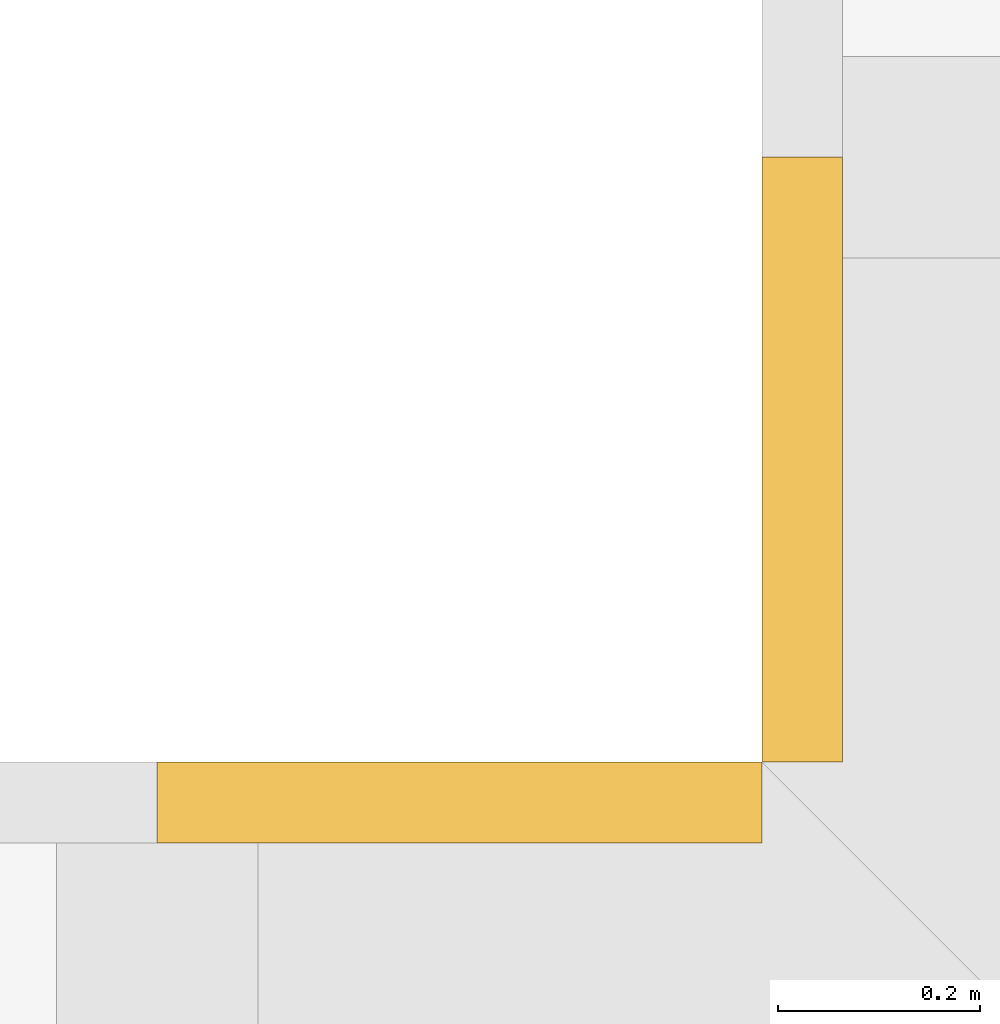
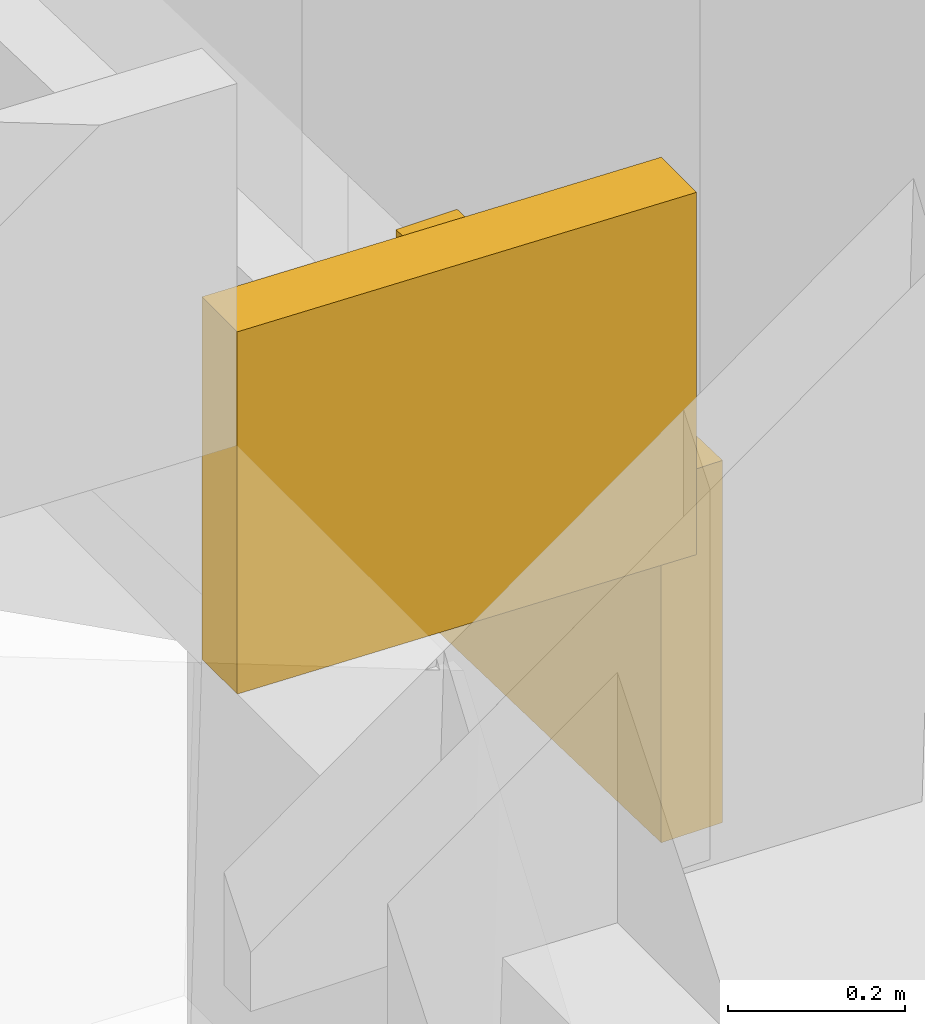
# One storey, part 28 of 29: 2 coverings.
"""IFC4 building model written with IfcOpenShell, lengths in metres."""

import ifcopenshell
import ifcopenshell.guid

model = None  # the IFC model being written
_history = None  # IfcOwnerHistory: only IFC2X3 demands one
_inside = {}  # id of a spatial element -> (the spatial element, [elements in it])
_under = {}  # id of a project, library or spatial element -> (it, [spatial elements below it])
_declared = {}  # id of a project -> (the project, [libraries it declares])
_typed = {}  # id of a type object -> (the type object, [elements of that type])
_made_of = {}  # id of a material, layer set ... -> (it, [elements and type objects made of it])


def new_model(schema):
    """Start an empty IFC model of exactly this schema.

    Asked for "IFC4X3", IfcOpenShell would pick the latest addendum, in which some entities
    have other attributes; the version numbers below select the first issue.
    IFC2X3 requires an IfcOwnerHistory on every rooted entity: one is made here for all.
    """
    global model, _history
    if schema == "IFC4X3":
        model = ifcopenshell.file(schema_version=(4, 3, 0, 0))
    else:
        model = ifcopenshell.file(schema=schema)
    _inside.clear()
    _under.clear()
    _declared.clear()
    _typed.clear()
    _made_of.clear()
    _history = None
    if model.schema == "IFC2X3":
        org = make("IfcOrganization", Name="unknown")
        user = make(
            "IfcPersonAndOrganization",
            ThePerson=make("IfcPerson", FamilyName="unknown"),
            TheOrganization=org,
        )
        app = make(
            "IfcApplication",
            ApplicationDeveloper=org,
            Version="unknown",
            ApplicationFullName="unknown",
            ApplicationIdentifier="unknown",
        )
        _history = make(
            "IfcOwnerHistory",
            OwningUser=user,
            OwningApplication=app,
            ChangeAction="ADDED",
            CreationDate=0,
        )
    return model


def make(cls, **values):
    """One entity of the class cls with the attributes given. An attribute that is None is left unset."""
    return model.create_entity(
        cls, **{name: value for name, value in values.items() if value is not None}
    )


def rooted(cls, **values):
    """An entity with a GlobalId (a new one), such as an element, a storey or a relation."""
    return make(cls, GlobalId=ifcopenshell.guid.new(), OwnerHistory=_history, **values)


def si_unit(unit_type, name, prefix=None):
    """IfcSIUnit, for example si_unit("LENGTHUNIT", "METRE", prefix="MILLI")."""
    return make("IfcSIUnit", UnitType=unit_type, Prefix=prefix, Name=name)


def assignment(units):
    """IfcUnitAssignment: the units of a project."""
    return None if units is None else make("IfcUnitAssignment", Units=units)


def point(xyz):
    """IfcCartesianPoint."""
    return None if xyz is None else make("IfcCartesianPoint", Coordinates=xyz)


def direction(xyz):
    """IfcDirection."""
    return None if xyz is None else make("IfcDirection", DirectionRatios=xyz)


def frame(location, z_axis=None, x_axis=None):
    """IfcAxis2Placement3D, a coordinate frame: its origin and axes. An axis left out is left unset."""
    return make(
        "IfcAxis2Placement3D",
        Location=point(location),
        Axis=direction(z_axis),
        RefDirection=direction(x_axis),
    )


def origin():
    """The frame at (0, 0, 0) with its axes left unset."""
    return frame((0.0, 0.0, 0.0))


def place(relative_to, where):
    """IfcLocalPlacement: puts the frame where relative to a parent placement (None: the world)."""
    return make(
        "IfcLocalPlacement", PlacementRelTo=relative_to, RelativePlacement=where
    )


def context(
    kind, dimensions, precision=None, world=None, true_north=None, identifier=None
):
    """IfcGeometricRepresentationContext, for example the 3D "Model" context."""
    return make(
        "IfcGeometricRepresentationContext",
        ContextIdentifier=identifier,
        ContextType=kind,
        CoordinateSpaceDimension=dimensions,
        Precision=precision,
        WorldCoordinateSystem=world,
        TrueNorth=true_north,
    )


def subcontext(parent, identifier, kind, view, scale=None):
    """IfcGeometricRepresentationSubContext, for example "Body" below "Model"."""
    return make(
        "IfcGeometricRepresentationSubContext",
        ContextIdentifier=identifier,
        ContextType=kind,
        ParentContext=parent,
        TargetScale=scale,
        TargetView=view,
    )


def project(units=None, contexts=None):
    """IfcProject with its units and contexts."""
    return rooted(
        "IfcProject",
        Name="project",
        RepresentationContexts=contexts,
        UnitsInContext=assignment(units),
    )


def spatial(cls, under=None, at=None, **own):
    """A site, building, storey or space (cls), placed at a placement, below another one or the project."""
    s = rooted(cls, ObjectPlacement=at, **own)
    if under is not None:
        _under.setdefault(under.id(), (under, []))[1].append(s)
    return s


def polyline(points):
    """IfcPolyline through the points."""
    return make("IfcPolyline", Points=[point(p) for p in points])


def outline(outer, holes=None, kind="AREA"):
    """IfcArbitraryClosedProfileDef: a profile drawn as a closed curve; with holes, ...WithVoids."""
    if holes is None:
        return make("IfcArbitraryClosedProfileDef", ProfileType=kind, OuterCurve=outer)
    return make(
        "IfcArbitraryProfileDefWithVoids",
        ProfileType=kind,
        OuterCurve=outer,
        InnerCurves=holes,
    )


def extrude(swept, where, along, depth):
    """IfcExtrudedAreaSolid: the profile swept, set in the frame where, extruded along a direction by depth."""
    return make(
        "IfcExtrudedAreaSolid",
        SweptArea=swept,
        Position=where,
        ExtrudedDirection=direction(along),
        Depth=depth,
    )


def shape(context_of_items, identifier, shape_type, items):
    """IfcShapeRepresentation: the items that make up one representation, for example the "Body"."""
    return make(
        "IfcShapeRepresentation",
        ContextOfItems=context_of_items,
        RepresentationIdentifier=identifier,
        RepresentationType=shape_type,
        Items=items,
    )


def material(Name=None, Category=None):
    """IfcMaterial."""
    return make("IfcMaterial", Name=Name, Category=Category)


def layer(
    of_material, thickness, ventilated=None, Name=None, Category=None, Priority=None
):
    """IfcMaterialLayer: one layer of a wall or slab, of a material (None: an air gap)."""
    return make(
        "IfcMaterialLayer",
        Material=of_material,
        LayerThickness=thickness,
        IsVentilated=ventilated,
        Name=Name,
        Category=Category,
        Priority=Priority,
    )


def layer_set(layers, Name=None):
    """IfcMaterialLayerSet."""
    return make("IfcMaterialLayerSet", MaterialLayers=layers, LayerSetName=Name)


def made_of(thing, what):
    """Note that an element or type object is made of a material, layer set ...; save() writes the relation."""
    if what is not None:
        _made_of.setdefault(what.id(), (what, []))[1].append(thing)
    return thing


def type_object(cls, material=None, **own):
    """A type object (cls), such as IfcWallType, which elements share."""
    return made_of(rooted(cls, **own), material)


def element(
    cls,
    number,
    at=None,
    inside=None,
    cuts=None,
    type_object=None,
    material=None,
    context=None,
    identifier="Body",
    shape_type=None,
    held_by="IfcProductDefinitionShape",
    body=None,
    shapes=None,
    **own,
):
    """One element of the class cls, such as IfcWall. Its Tag is "e" and its number.

    at: its placement. inside: the storey or other place that contains it. cuts: it is an
    opening in that element (IfcRelVoidsElement). A single representation is given by context,
    identifier, shape_type and body (its items); several are given by shapes. held_by: the class
    of the entity that holds the representations. save() writes the other relations.
    """
    e = rooted(cls, Tag="e%d" % number, ObjectPlacement=at, **own)
    if body is not None:
        shapes = [shape(context, identifier, shape_type, body)]
    if shapes is not None:
        e.Representation = make(held_by, Representations=shapes)
    if inside is not None:
        _inside.setdefault(inside.id(), (inside, []))[1].append(e)
    if cuts is not None:
        rooted(
            "IfcRelVoidsElement", RelatingBuildingElement=cuts, RelatedOpeningElement=e
        )
    if type_object is not None:
        _typed.setdefault(type_object.id(), (type_object, []))[1].append(e)
    return made_of(e, material)


def aggregate(whole, parts):
    """IfcRelAggregates: a whole, such as a stair, and the parts it consists of."""
    return rooted("IfcRelAggregates", RelatingObject=whole, RelatedObjects=parts)


def save(model, path):
    """Write the relations noted so far, then the file.

    IfcRelAggregates (storeys below a building ...), IfcRelContainedInSpatialStructure (elements
    in a storey), IfcRelDefinesByType, IfcRelAssociatesMaterial and IfcRelDeclares: one each for
    every whole, place, type object, material and project.
    """
    for whole, parts in _under.values():
        aggregate(whole, parts)
    for where, things in _inside.values():
        rooted(
            "IfcRelContainedInSpatialStructure",
            RelatedElements=things,
            RelatingStructure=where,
        )
    for kind, things in _typed.values():
        rooted("IfcRelDefinesByType", RelatedObjects=things, RelatingType=kind)
    for what, things in _made_of.values():
        rooted("IfcRelAssociatesMaterial", RelatedObjects=things, RelatingMaterial=what)
    for by, libraries in _declared.values():
        rooted("IfcRelDeclares", RelatingContext=by, RelatedDefinitions=libraries)
    model.write(path)


model = new_model("IFC4")

# Units and contexts
model_context = context("Model", 3, precision=1e-05, world=origin(), true_north=direction((0.0, 1.0)))
body_context = subcontext(model_context, "Body", "Model", "MODEL_VIEW")
ifc_project = project(units=[si_unit("LENGTHUNIT", "METRE"), si_unit("AREAUNIT", "SQUARE_METRE"), si_unit("VOLUMEUNIT", "CUBIC_METRE"), si_unit("PLANEANGLEUNIT", "RADIAN"), si_unit("MASSUNIT", "GRAM", prefix="KILO")], contexts=[model_context])

# Site, building, storey
site_placement = place(None, origin())
site = spatial("IfcSite", under=ifc_project, at=site_placement, CompositionType="ELEMENT")
building_placement = place(site_placement, origin())
building = spatial("IfcBuilding", under=site, at=building_placement, Name="Saffron Gate Tower", CompositionType="ELEMENT")
storey_placement = place(building_placement, frame((0.0, 0.0, 48.0)))
storey = spatial("IfcBuildingStorey", under=building, at=storey_placement, Name="L10", CompositionType="ELEMENT", Elevation=48.0)

# Coverings
ifc_material = material(Name="Timber, thermally modified ash", Category="wood")
ifc_layer = layer(ifc_material, 0.080078125)
ifc_layer_set = layer_set([ifc_layer], Name="LD2 ledge planter trough")
covering_type = type_object("IfcCoveringType", Name="LD2 ledge planter trough", PredefinedType="CLADDING", material=ifc_layer_set)
covering_1_placement = place(storey_placement, frame((50.39990234375, 73.800048828125, 2.56591796875), z_axis=(-1.0, 0.0, 0.0), x_axis=(0.0, -0.999583081391, 0.028873229772)))
element("IfcCovering", 1, at=covering_1_placement, inside=storey, type_object=covering_type, Name="LEDGE planter trough", PredefinedType="CLADDING", context=body_context, shape_type="SweptSolid", body=[
    extrude(outline(polyline([(0.0, 0.0), (0.6003479524834376, -3.469446951953614e-18), (0.6147845673692678, 0.4997915406953566), (0.014436614885830073, 0.4997915406953566), (0.0, 0.0)])), origin(), (0.0, 0.0, -1.0), 0.080078125),
])
covering_2_placement = place(storey_placement, frame((50.39990234375, 73.199951171875, 3.02978515625), z_axis=(0.0, 1.0, 0.0), x_axis=(-0.999582742162, 0.0, 0.028884971385)))
element("IfcCovering", 2, at=covering_2_placement, inside=storey, type_object=covering_type, Name="LEDGE planter trough", PredefinedType="CLADDING", context=body_context, shape_type="SweptSolid", body=[
    extrude(outline(polyline([(0.0, 0.0), (0.6001039136866089, 0.0), (0.614546399379222, 0.4997913710809928), (0.014442485692613144, 0.49979137108099286), (0.0, 0.0)])), origin(), (0.0, 0.0, -1.0), 0.080078125),
])

save(model, "model.ifc")
